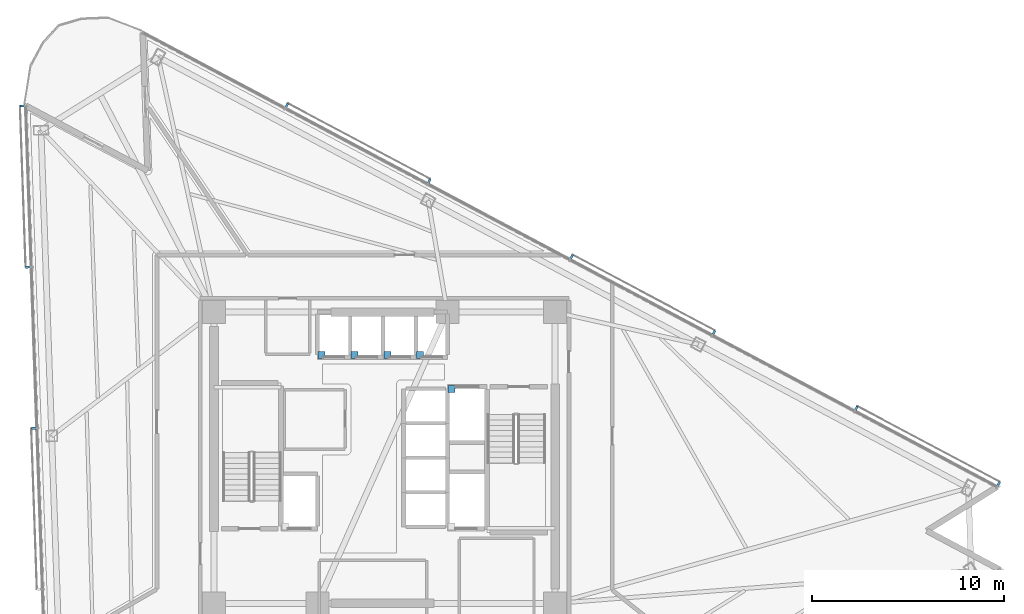
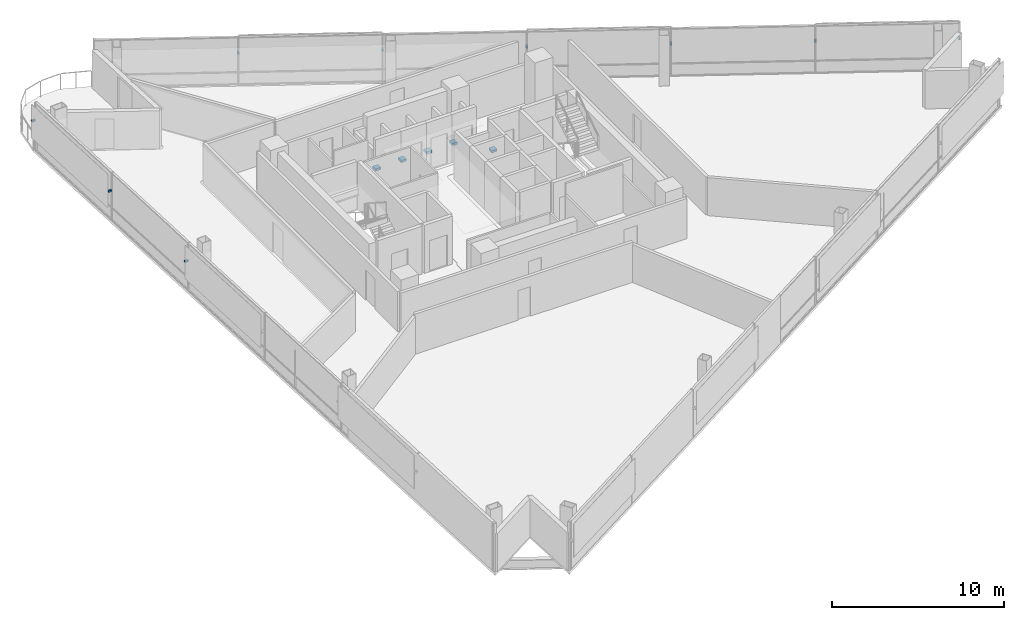
# One storey, part 15 of 18: 14 discrete accessories.
"""IFC4 building model written with IfcOpenShell, lengths in metres."""

import ifcopenshell
import ifcopenshell.guid

model = None  # the IFC model being written
_history = None  # IfcOwnerHistory: only IFC2X3 demands one
_inside = {}  # id of a spatial element -> (the spatial element, [elements in it])
_under = {}  # id of a project, library or spatial element -> (it, [spatial elements below it])
_declared = {}  # id of a project -> (the project, [libraries it declares])
_typed = {}  # id of a type object -> (the type object, [elements of that type])
_made_of = {}  # id of a material, layer set ... -> (it, [elements and type objects made of it])


def new_model(schema):
    """Start an empty IFC model of exactly this schema.

    Asked for "IFC4X3", IfcOpenShell would pick the latest addendum, in which some entities
    have other attributes; the version numbers below select the first issue.
    IFC2X3 requires an IfcOwnerHistory on every rooted entity: one is made here for all.
    """
    global model, _history
    if schema == "IFC4X3":
        model = ifcopenshell.file(schema_version=(4, 3, 0, 0))
    else:
        model = ifcopenshell.file(schema=schema)
    _inside.clear()
    _under.clear()
    _declared.clear()
    _typed.clear()
    _made_of.clear()
    _history = None
    if model.schema == "IFC2X3":
        org = make("IfcOrganization", Name="unknown")
        user = make(
            "IfcPersonAndOrganization",
            ThePerson=make("IfcPerson", FamilyName="unknown"),
            TheOrganization=org,
        )
        app = make(
            "IfcApplication",
            ApplicationDeveloper=org,
            Version="unknown",
            ApplicationFullName="unknown",
            ApplicationIdentifier="unknown",
        )
        _history = make(
            "IfcOwnerHistory",
            OwningUser=user,
            OwningApplication=app,
            ChangeAction="ADDED",
            CreationDate=0,
        )
    return model


def make(cls, **values):
    """One entity of the class cls with the attributes given. An attribute that is None is left unset."""
    return model.create_entity(
        cls, **{name: value for name, value in values.items() if value is not None}
    )


def rooted(cls, **values):
    """An entity with a GlobalId (a new one), such as an element, a storey or a relation."""
    return make(cls, GlobalId=ifcopenshell.guid.new(), OwnerHistory=_history, **values)


def si_unit(unit_type, name, prefix=None):
    """IfcSIUnit, for example si_unit("LENGTHUNIT", "METRE", prefix="MILLI")."""
    return make("IfcSIUnit", UnitType=unit_type, Prefix=prefix, Name=name)


def assignment(units):
    """IfcUnitAssignment: the units of a project."""
    return None if units is None else make("IfcUnitAssignment", Units=units)


def point(xyz):
    """IfcCartesianPoint."""
    return None if xyz is None else make("IfcCartesianPoint", Coordinates=xyz)


def direction(xyz):
    """IfcDirection."""
    return None if xyz is None else make("IfcDirection", DirectionRatios=xyz)


def frame(location, z_axis=None, x_axis=None):
    """IfcAxis2Placement3D, a coordinate frame: its origin and axes. An axis left out is left unset."""
    return make(
        "IfcAxis2Placement3D",
        Location=point(location),
        Axis=direction(z_axis),
        RefDirection=direction(x_axis),
    )


def frame_2d(location, x_axis=None):
    """IfcAxis2Placement2D, a coordinate frame in the plane: its origin and x axis."""
    return make(
        "IfcAxis2Placement2D", Location=point(location), RefDirection=direction(x_axis)
    )


def origin():
    """The frame at (0, 0, 0) with its axes left unset."""
    return frame((0.0, 0.0, 0.0))


def origin_2d():
    """The frame at (0, 0) in the plane with its x axis left unset."""
    return frame_2d((0.0, 0.0))


def place(relative_to, where):
    """IfcLocalPlacement: puts the frame where relative to a parent placement (None: the world)."""
    return make(
        "IfcLocalPlacement", PlacementRelTo=relative_to, RelativePlacement=where
    )


def context(
    kind, dimensions, precision=None, world=None, true_north=None, identifier=None
):
    """IfcGeometricRepresentationContext, for example the 3D "Model" context."""
    return make(
        "IfcGeometricRepresentationContext",
        ContextIdentifier=identifier,
        ContextType=kind,
        CoordinateSpaceDimension=dimensions,
        Precision=precision,
        WorldCoordinateSystem=world,
        TrueNorth=true_north,
    )


def subcontext(parent, identifier, kind, view, scale=None):
    """IfcGeometricRepresentationSubContext, for example "Body" below "Model"."""
    return make(
        "IfcGeometricRepresentationSubContext",
        ContextIdentifier=identifier,
        ContextType=kind,
        ParentContext=parent,
        TargetScale=scale,
        TargetView=view,
    )


def project(units=None, contexts=None):
    """IfcProject with its units and contexts."""
    return rooted(
        "IfcProject",
        Name="project",
        RepresentationContexts=contexts,
        UnitsInContext=assignment(units),
    )


def spatial(cls, under=None, at=None, **own):
    """A site, building, storey or space (cls), placed at a placement, below another one or the project."""
    s = rooted(cls, ObjectPlacement=at, **own)
    if under is not None:
        _under.setdefault(under.id(), (under, []))[1].append(s)
    return s


def profile(cls, at=None, kind="AREA", **sizes):
    """A parametric profile (cls). Its sizes go by their IFC names, for example OverallWidth=200.0."""
    return make(cls, ProfileType=kind, Position=at, **sizes)


def rectangle(**sizes):
    """IfcRectangleProfileDef."""
    return profile("IfcRectangleProfileDef", **sizes)


def extrude(swept, where, along, depth):
    """IfcExtrudedAreaSolid: the profile swept, set in the frame where, extruded along a direction by depth."""
    return make(
        "IfcExtrudedAreaSolid",
        SweptArea=swept,
        Position=where,
        ExtrudedDirection=direction(along),
        Depth=depth,
    )


def shape(context_of_items, identifier, shape_type, items):
    """IfcShapeRepresentation: the items that make up one representation, for example the "Body"."""
    return make(
        "IfcShapeRepresentation",
        ContextOfItems=context_of_items,
        RepresentationIdentifier=identifier,
        RepresentationType=shape_type,
        Items=items,
    )


def material(Name=None, Category=None):
    """IfcMaterial."""
    return make("IfcMaterial", Name=Name, Category=Category)


def made_of(thing, what):
    """Note that an element or type object is made of a material, layer set ...; save() writes the relation."""
    if what is not None:
        _made_of.setdefault(what.id(), (what, []))[1].append(thing)
    return thing


def type_object(cls, material=None, **own):
    """A type object (cls), such as IfcWallType, which elements share."""
    return made_of(rooted(cls, **own), material)


def element(
    cls,
    number,
    at=None,
    inside=None,
    cuts=None,
    type_object=None,
    material=None,
    context=None,
    identifier="Body",
    shape_type=None,
    held_by="IfcProductDefinitionShape",
    body=None,
    shapes=None,
    **own,
):
    """One element of the class cls, such as IfcWall. Its Tag is "e" and its number.

    at: its placement. inside: the storey or other place that contains it. cuts: it is an
    opening in that element (IfcRelVoidsElement). A single representation is given by context,
    identifier, shape_type and body (its items); several are given by shapes. held_by: the class
    of the entity that holds the representations. save() writes the other relations.
    """
    e = rooted(cls, Tag="e%d" % number, ObjectPlacement=at, **own)
    if body is not None:
        shapes = [shape(context, identifier, shape_type, body)]
    if shapes is not None:
        e.Representation = make(held_by, Representations=shapes)
    if inside is not None:
        _inside.setdefault(inside.id(), (inside, []))[1].append(e)
    if cuts is not None:
        rooted(
            "IfcRelVoidsElement", RelatingBuildingElement=cuts, RelatedOpeningElement=e
        )
    if type_object is not None:
        _typed.setdefault(type_object.id(), (type_object, []))[1].append(e)
    return made_of(e, material)


def aggregate(whole, parts):
    """IfcRelAggregates: a whole, such as a stair, and the parts it consists of."""
    return rooted("IfcRelAggregates", RelatingObject=whole, RelatedObjects=parts)


def save(model, path):
    """Write the relations noted so far, then the file.

    IfcRelAggregates (storeys below a building ...), IfcRelContainedInSpatialStructure (elements
    in a storey), IfcRelDefinesByType, IfcRelAssociatesMaterial and IfcRelDeclares: one each for
    every whole, place, type object, material and project.
    """
    for whole, parts in _under.values():
        aggregate(whole, parts)
    for where, things in _inside.values():
        rooted(
            "IfcRelContainedInSpatialStructure",
            RelatedElements=things,
            RelatingStructure=where,
        )
    for kind, things in _typed.values():
        rooted("IfcRelDefinesByType", RelatedObjects=things, RelatingType=kind)
    for what, things in _made_of.values():
        rooted("IfcRelAssociatesMaterial", RelatedObjects=things, RelatingMaterial=what)
    for by, libraries in _declared.values():
        rooted("IfcRelDeclares", RelatingContext=by, RelatedDefinitions=libraries)
    model.write(path)


model = new_model("IFC4")

# Units and contexts
model_context = context("Model", 3, precision=1e-05, world=origin(), true_north=direction((0.0, 1.0)))
body_context = subcontext(model_context, "Body", "Model", "MODEL_VIEW")
ifc_project = project(units=[si_unit("LENGTHUNIT", "METRE"), si_unit("AREAUNIT", "SQUARE_METRE"), si_unit("VOLUMEUNIT", "CUBIC_METRE"), si_unit("PLANEANGLEUNIT", "RADIAN"), si_unit("MASSUNIT", "GRAM", prefix="KILO")], contexts=[model_context])

# Site, building, storey
site_placement = place(None, origin())
site = spatial("IfcSite", under=ifc_project, at=site_placement, CompositionType="ELEMENT")
building_placement = place(site_placement, origin())
building = spatial("IfcBuilding", under=site, at=building_placement, Name="Tharavind Bronze Gate", CompositionType="ELEMENT")
storey_placement = place(building_placement, frame((0.0, 0.0, 153.199951171875)))
storey = spatial("IfcBuildingStorey", under=building, at=storey_placement, Name="L39", CompositionType="ELEMENT", Elevation=153.199951171875)

# Discrete accessories
ifc_material_1 = material(Name="Galvanised Steel S355", Category="steel")
discrete_accessory_type_1 = type_object("IfcDiscreteAccessoryType", Name="LIFT GUIDE RAIL BRACKET", PredefinedType="BRACKET", material=ifc_material_1)
for number, where, z_axis, x_axis, name in (
    (1, (-3.280029296875, 5.3701171875, 1.1201171875), (0.0, 0.0, 1.0), (1.0, 0.0, 0.0), "Lift PL5 guide rail bracket at L39"),
    (2, (-1.5673828125, 5.3701171875, 1.1201171875), (0.0, 0.0, 1.0), (1.0, 0.0, 0.0), "Lift PL6 guide rail bracket at L39"),
    (3, (0.14501953125, 5.3701171875, 1.1201171875), (0.0, 0.0, 1.0), (1.0, 0.0, 0.0), "Lift PL7 guide rail bracket at L39"),
    (4, (1.857421875, 5.3701171875, 1.1201171875), (0.0, 0.0, 1.0), (1.0, 0.0, 0.0), "Lift PL8 guide rail bracket at L39"),
    (5, (3.5, 3.580078125, 1.1201171875), (0.0, 0.0, 1.0), (1.0, 0.0, 0.0), "Lift FFL2 guide rail bracket at L39"),
):
    element("IfcDiscreteAccessory", number, at=place(storey_placement, frame(where, z_axis=z_axis, x_axis=x_axis)), inside=storey, type_object=discrete_accessory_type_1, Name=name, PredefinedType="BRACKET", context=body_context, shape_type="SweptSolid", body=[
        extrude(rectangle(XDim=0.360107421875, YDim=0.360107421875, at=origin_2d()), origin(), (0.0, 0.0, 1.0), 0.159912109375),
    ])
ifc_material_2 = material(Name="Stainless Steel 316", Category="steel")
discrete_accessory_type_2 = type_object("IfcDiscreteAccessoryType", Name="SOLAR SCREEN STANDOFF BRACKET", PredefinedType="BRACKET", material=ifc_material_2)
for number, where, z_axis, x_axis, name in (
    (6, (-18.899658203125, 18.358154296875, 2.094970703125), (0.0, 0.0, 1.0), (0.034899496703, -0.999390827019, 0.0), "CW-L39-S1 solar screen bracket 1.1"),
    (7, (-18.60595703125, 9.94873046875, 2.094970703125), (0.0, 0.0, 1.0), (0.034899496703, -0.999390827019, 0.0), "CW-L39-S1 solar screen bracket 1.2"),
    (8, (-18.3125, 1.539306640625, 2.094970703125), (0.0, 0.0, 1.0), (0.034899496703, -0.999390827019, 0.0), "CW-L39-S1 solar screen bracket 3.1"),
    (9, (32.04833984375, -1.363525390625, 2.094970703125), (0.0, 0.0, 1.0), (-0.882947592859, 0.469471562786, 0.0), "CW-L39-S3 solar screen bracket 1.1"),
    (10, (24.61865234375, 2.5869140625, 2.094970703125), (0.0, 0.0, 1.0), (-0.882947592859, 0.469471562786, 0.0), "CW-L39-S3 solar screen bracket 1.2"),
    (11, (17.189208984375, 6.537109375, 2.094970703125), (0.0, 0.0, 1.0), (-0.882947592859, 0.469471562786, 0.0), "CW-L39-S3 solar screen bracket 3.1"),
    (12, (9.759521484375, 10.487548828125, 2.094970703125), (0.0, 0.0, 1.0), (-0.882947592859, 0.469471562786, 0.0), "CW-L39-S3 solar screen bracket 3.2"),
    (13, (2.329833984375, 14.43798828125, 2.094970703125), (0.0, 0.0, 1.0), (-0.882947592859, 0.469471562786, 0.0), "CW-L39-S3 solar screen bracket 5.1"),
    (14, (-5.099853515625, 18.388427734375, 2.094970703125), (0.0, 0.0, 1.0), (-0.882947592859, 0.469471562786, 0.0), "CW-L39-S3 solar screen bracket 5.2"),
):
    element("IfcDiscreteAccessory", number, at=place(storey_placement, frame(where, z_axis=z_axis, x_axis=x_axis)), inside=storey, type_object=discrete_accessory_type_2, Name=name, PredefinedType="BRACKET", context=body_context, shape_type="SweptSolid", body=[
        extrude(rectangle(XDim=0.1201171875, YDim=0.239990234375, at=origin_2d()), origin(), (0.0, 0.0, 1.0), 0.1201171875),
    ])

save(model, "model.ifc")
